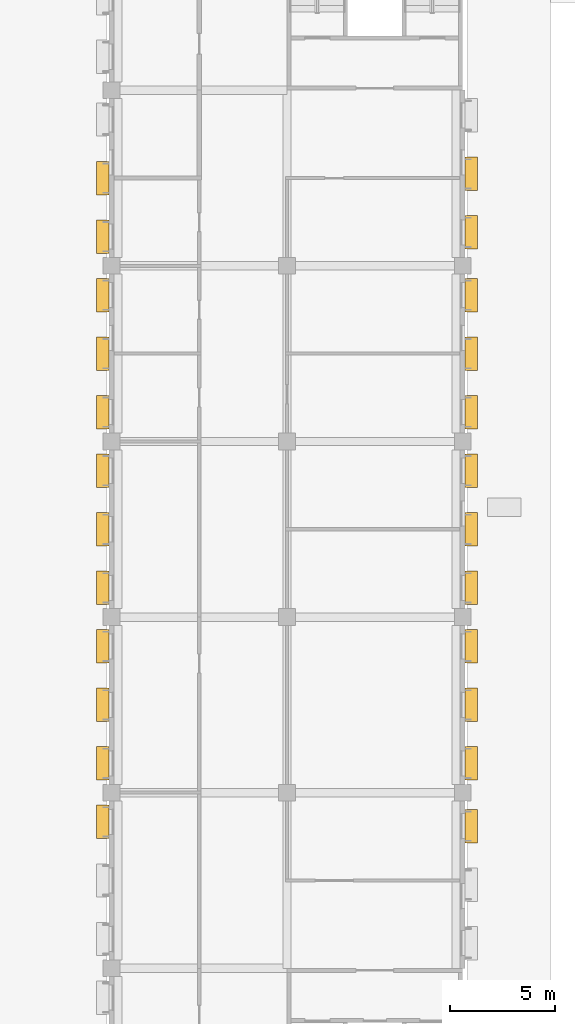
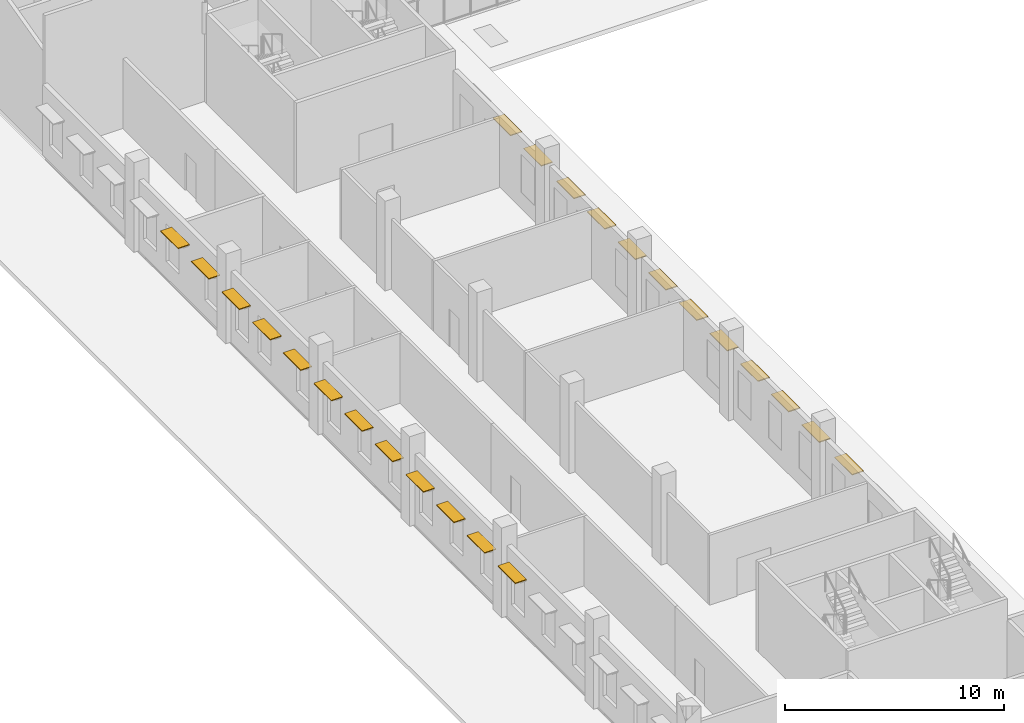
# One storey, part 67 of 101: 24 shading devices.
"""IFC4 building model written with IfcOpenShell, lengths in metres."""

from ifc_helpers import new_model, si_unit, direction, frame, origin, origin_2d, place, context, subcontext, project, spatial, rectangle, extrude, material, material_profile, profile_set, type_object, element, save


model = new_model("IFC4")

# Units and contexts
model_context = context("Model", 3, precision=1e-05, world=origin(), true_north=direction((0.0, 1.0)))
body_context = subcontext(model_context, "Body", "Model", "MODEL_VIEW")
ifc_project = project(units=[si_unit("LENGTHUNIT", "METRE"), si_unit("AREAUNIT", "SQUARE_METRE"), si_unit("VOLUMEUNIT", "CUBIC_METRE"), si_unit("PLANEANGLEUNIT", "RADIAN"), si_unit("MASSUNIT", "GRAM", prefix="KILO")], contexts=[model_context])

# Site, building, storey
site_placement = place(None, origin())
site = spatial("IfcSite", under=ifc_project, at=site_placement, CompositionType="ELEMENT")
building_placement = place(site_placement, origin())
building = spatial("IfcBuilding", under=site, at=building_placement, Name="Almond Square Museum", CompositionType="ELEMENT")
storey_placement = place(building_placement, frame((0.0, 0.0, 5.5)))
storey = spatial("IfcBuildingStorey", under=building, at=storey_placement, Name="L01", CompositionType="ELEMENT", Elevation=5.5)

# Shading devices
ifc_material = material(Name="Anodised aluminium", Category="aluminium")
ifc_material_profile = material_profile(ifc_material, rectangle(XDim=0.60009765625, YDim=0.050048828125, at=origin_2d()))
ifc_profile_set = profile_set([ifc_material_profile], Name="Anodised aluminium")
shading_device_type = type_object("IfcShadingDeviceType", Name="Sun-shade blade 600 x 50", PredefinedType="USERDEFINED", material=ifc_profile_set)
for number, where, z_axis, x_axis, name in (
    (1, (23.222900390625, 31.199951171875, 3.1201171875), (0.0, 1.0, 0.0), (-1.0, 0.0, 0.0), "Sun-shade blade"),
    (2, (23.222900390625, 34.199951171875, 3.1201171875), (0.0, 1.0, 0.0), (-1.0, 0.0, 0.0), "Sun-shade blade"),
    (3, (23.222900390625, 37.0, 3.1201171875), (0.0, 1.0, 0.0), (-1.0, 0.0, 0.0), "Sun-shade blade"),
):
    element("IfcShadingDevice", number, at=place(storey_placement, frame(where, z_axis=z_axis, x_axis=x_axis)), inside=storey, type_object=shading_device_type, Name=name, ObjectType="LOUVRE", PredefinedType="USERDEFINED", context=body_context, shape_type="SweptSolid", body=[
        extrude(rectangle(XDim=0.60009765625, YDim=0.050048828125, at=origin_2d()), origin(), (0.0, 0.0, 1.0), 1.60009765625),
    ])
for number, where, z_axis, x_axis, name in (
    (4, (23.222900390625, 39.800048828125, 3.1201171875), (0.0, 1.0, 0.0), (-1.0, 0.0, 0.0), "Sun-shade blade"),
    (5, (23.222900390625, 42.60009765625, 3.1201171875), (0.0, 1.0, 0.0), (-1.0, 0.0, 0.0), "Sun-shade blade"),
):
    element("IfcShadingDevice", number, at=place(storey_placement, frame(where, z_axis=z_axis, x_axis=x_axis)), inside=storey, type_object=shading_device_type, Name=name, ObjectType="LOUVRE", PredefinedType="USERDEFINED", context=body_context, shape_type="SweptSolid", body=[
        extrude(rectangle(XDim=0.60009765625, YDim=0.050048828125, at=origin_2d()), origin(), (0.0, 0.0, 1.0), 1.599853515625),
    ])
for number, where, z_axis, x_axis, name in (
    (6, (23.222900390625, 45.39990234375, 3.1201171875), (0.0, 1.0, 0.0), (-1.0, 0.0, 0.0), "Sun-shade blade"),
    (7, (23.222900390625, 48.199951171875, 3.1201171875), (0.0, 1.0, 0.0), (-1.0, 0.0, 0.0), "Sun-shade blade"),
    (8, (23.222900390625, 51.0, 3.1201171875), (0.0, 1.0, 0.0), (-1.0, 0.0, 0.0), "Sun-shade blade"),
):
    element("IfcShadingDevice", number, at=place(storey_placement, frame(where, z_axis=z_axis, x_axis=x_axis)), inside=storey, type_object=shading_device_type, Name=name, ObjectType="LOUVRE", PredefinedType="USERDEFINED", context=body_context, shape_type="SweptSolid", body=[
        extrude(rectangle(XDim=0.60009765625, YDim=0.050048828125, at=origin_2d()), origin(), (0.0, 0.0, 1.0), 1.60009765625),
    ])
for number, where, z_axis, x_axis, name in (
    (9, (23.222900390625, 53.800048828125, 3.1201171875), (0.0, 1.0, 0.0), (-1.0, 0.0, 0.0), "Sun-shade blade"),
    (10, (23.222900390625, 56.60009765625, 3.1201171875), (0.0, 1.0, 0.0), (-1.0, 0.0, 0.0), "Sun-shade blade"),
    (11, (23.222900390625, 59.60009765625, 3.1201171875), (0.0, 1.0, 0.0), (-1.0, 0.0, 0.0), "Sun-shade blade"),
):
    element("IfcShadingDevice", number, at=place(storey_placement, frame(where, z_axis=z_axis, x_axis=x_axis)), inside=storey, type_object=shading_device_type, Name=name, ObjectType="LOUVRE", PredefinedType="USERDEFINED", context=body_context, shape_type="SweptSolid", body=[
        extrude(rectangle(XDim=0.60009765625, YDim=0.050048828125, at=origin_2d()), origin(), (0.0, 0.0, 1.0), 1.599853515625),
    ])
for number, where, z_axis, x_axis, name in (
    (12, (23.222900390625, 62.39990234375, 3.1201171875), (0.0, 1.0, 0.0), (-1.0, 0.0, 0.0), "Sun-shade blade"),
    (13, (5.576904296875, 59.39990234375, 3.1201171875), (0.0, 1.0, 0.0), (-1.0, 0.0, 0.0), "Sun-shade blade"),
    (14, (5.576904296875, 62.199951171875, 3.1201171875), (0.0, 1.0, 0.0), (-1.0, 0.0, 0.0), "Sun-shade blade"),
    (15, (5.576904296875, 51.0, 3.1201171875), (0.0, 1.0, 0.0), (-1.0, 0.0, 0.0), "Sun-shade blade"),
):
    element("IfcShadingDevice", number, at=place(storey_placement, frame(where, z_axis=z_axis, x_axis=x_axis)), inside=storey, type_object=shading_device_type, Name=name, ObjectType="LOUVRE", PredefinedType="USERDEFINED", context=body_context, shape_type="SweptSolid", body=[
        extrude(rectangle(XDim=0.60009765625, YDim=0.050048828125, at=origin_2d()), origin(), (0.0, 0.0, 1.0), 1.60009765625),
    ])
for number, where, z_axis, x_axis, name in (
    (16, (5.576904296875, 53.800048828125, 3.1201171875), (0.0, 1.0, 0.0), (-1.0, 0.0, 0.0), "Sun-shade blade"),
    (17, (5.576904296875, 56.60009765625, 3.1201171875), (0.0, 1.0, 0.0), (-1.0, 0.0, 0.0), "Sun-shade blade"),
    (18, (5.576904296875, 42.60009765625, 3.1201171875), (0.0, 1.0, 0.0), (-1.0, 0.0, 0.0), "Sun-shade blade"),
):
    element("IfcShadingDevice", number, at=place(storey_placement, frame(where, z_axis=z_axis, x_axis=x_axis)), inside=storey, type_object=shading_device_type, Name=name, ObjectType="LOUVRE", PredefinedType="USERDEFINED", context=body_context, shape_type="SweptSolid", body=[
        extrude(rectangle(XDim=0.60009765625, YDim=0.050048828125, at=origin_2d()), origin(), (0.0, 0.0, 1.0), 1.599853515625),
    ])
for number, where, z_axis, x_axis, name in (
    (19, (5.576904296875, 45.39990234375, 3.1201171875), (0.0, 1.0, 0.0), (-1.0, 0.0, 0.0), "Sun-shade blade"),
    (20, (5.576904296875, 48.199951171875, 3.1201171875), (0.0, 1.0, 0.0), (-1.0, 0.0, 0.0), "Sun-shade blade"),
    (21, (5.576904296875, 34.199951171875, 3.1201171875), (0.0, 1.0, 0.0), (-1.0, 0.0, 0.0), "Sun-shade blade"),
    (22, (5.576904296875, 37.0, 3.1201171875), (0.0, 1.0, 0.0), (-1.0, 0.0, 0.0), "Sun-shade blade"),
):
    element("IfcShadingDevice", number, at=place(storey_placement, frame(where, z_axis=z_axis, x_axis=x_axis)), inside=storey, type_object=shading_device_type, Name=name, ObjectType="LOUVRE", PredefinedType="USERDEFINED", context=body_context, shape_type="SweptSolid", body=[
        extrude(rectangle(XDim=0.60009765625, YDim=0.050048828125, at=origin_2d()), origin(), (0.0, 0.0, 1.0), 1.60009765625),
    ])
shading_device_1_placement = place(storey_placement, frame((5.576904296875, 39.800048828125, 3.1201171875), z_axis=(0.0, 1.0, 0.0), x_axis=(-1.0, 0.0, 0.0)))
element("IfcShadingDevice", 23, at=shading_device_1_placement, inside=storey, type_object=shading_device_type, Name="Sun-shade blade", ObjectType="LOUVRE", PredefinedType="USERDEFINED", context=body_context, shape_type="SweptSolid", body=[
    extrude(rectangle(XDim=0.60009765625, YDim=0.050048828125, at=origin_2d()), origin(), (0.0, 0.0, 1.0), 1.599853515625),
])
shading_device_2_placement = place(storey_placement, frame((5.576904296875, 31.39990234375, 3.1201171875), z_axis=(0.0, 1.0, 0.0), x_axis=(-1.0, 0.0, 0.0)))
element("IfcShadingDevice", 24, at=shading_device_2_placement, inside=storey, type_object=shading_device_type, Name="Sun-shade blade", ObjectType="LOUVRE", PredefinedType="USERDEFINED", context=body_context, shape_type="SweptSolid", body=[
    extrude(rectangle(XDim=0.60009765625, YDim=0.050048828125, at=origin_2d()), origin(), (0.0, 0.0, 1.0), 1.60009765625),
])

save(model, "model.ifc")
